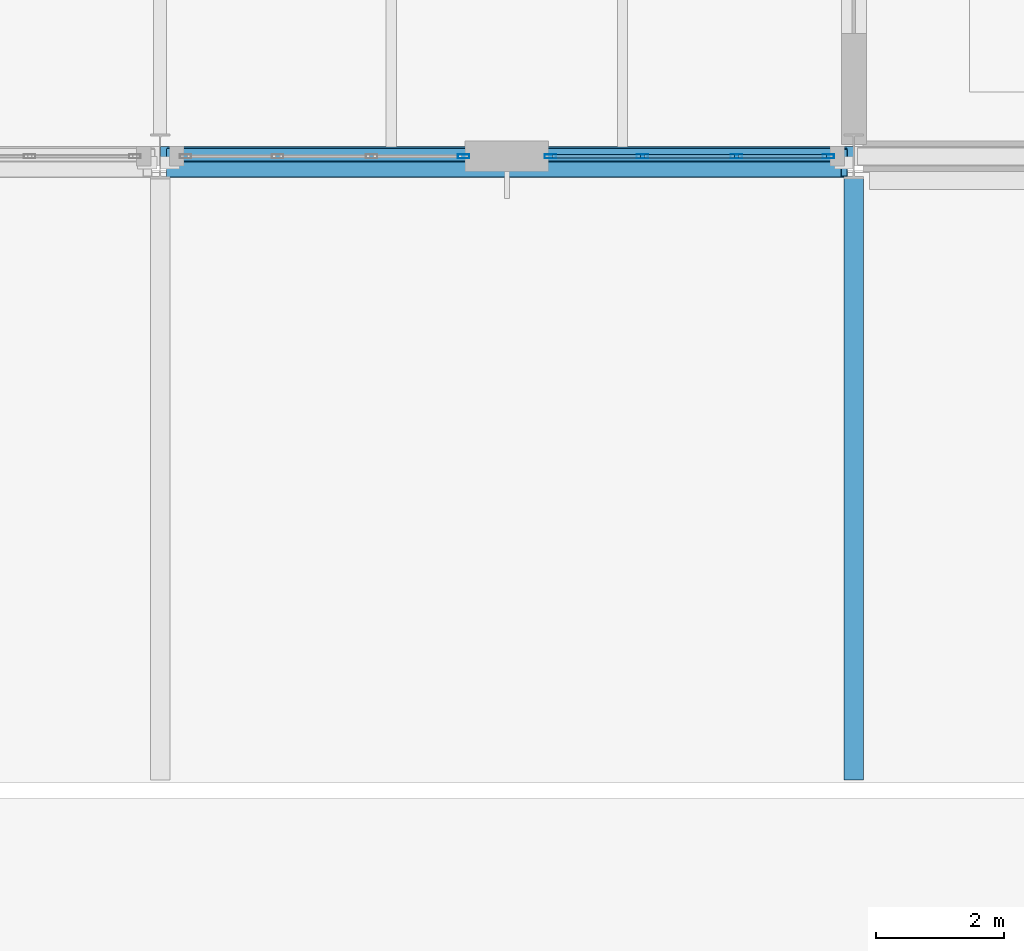
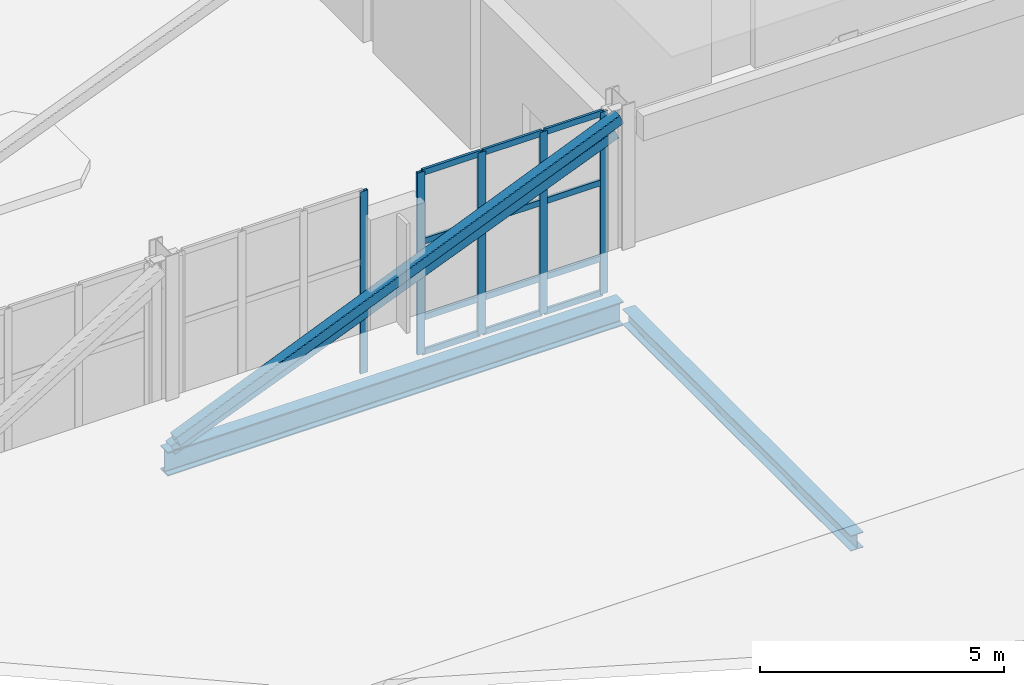
# One storey, part 16 of 100: 19 members, 2 beams, 2 elements without a shape of their own.
"""IFC4 building model written with IfcOpenShell, lengths in metres."""

from ifc_helpers import new_model, si_unit, direction, frame, origin, origin_2d, place, context, subcontext, project, spatial, hollow_rectangle, i_section, extrude, material, layer, layer_set, material_profile, profile_set, type_object, element, aggregate, save


model = new_model("IFC4")

# Units and contexts
model_context = context("Model", 3, precision=1e-05, world=origin(), true_north=direction((0.0, 1.0)))
body_context = subcontext(model_context, "Body", "Model", "MODEL_VIEW")
ifc_project = project(units=[si_unit("LENGTHUNIT", "METRE"), si_unit("AREAUNIT", "SQUARE_METRE"), si_unit("VOLUMEUNIT", "CUBIC_METRE"), si_unit("PLANEANGLEUNIT", "RADIAN"), si_unit("MASSUNIT", "GRAM", prefix="KILO")], contexts=[model_context])

# Site, building, storey
site_placement = place(None, origin())
site = spatial("IfcSite", under=ifc_project, at=site_placement, CompositionType="ELEMENT")
building_placement = place(site_placement, origin())
building = spatial("IfcBuilding", under=site, at=building_placement, Name="Tasgan Crest Museum", CompositionType="ELEMENT")
storey_placement = place(building_placement, frame((0.0, 0.0, 9.60009765625)))
storey = spatial("IfcBuildingStorey", under=building, at=storey_placement, Name="L02", CompositionType="ELEMENT", Elevation=9.60009765625)

# Beams
ifc_material_1 = material(Name="Steel S355K2", Category="steel")
ifc_material_profile_1 = material_profile(ifc_material_1, i_section(OverallWidth=0.300048828125, OverallDepth=0.60009765625, WebThickness=0.015380859375, FlangeThickness=0.030029296875, FilletRadius=0.027099609375, at=origin_2d()), Name="HEB 600")
ifc_profile_set_1 = profile_set([ifc_material_profile_1], Name="Steel S355K2")
beam_type_1 = type_object("IfcBeamType", Name="BM-CANT-G1", PredefinedType="BEAM", material=ifc_profile_set_1)
beam_1_placement = place(storey_placement, frame((10.806396484375, 40.0, -0.56005859375), z_axis=(1.0, 0.0, 0.0), x_axis=(0.0, 1.0, 0.0)))
element("IfcBeam", 1, at=beam_1_placement, inside=storey, type_object=beam_type_1, Name="Transfer back-span girder 1 BOT E", PredefinedType="BEAM", context=body_context, shape_type="SweptSolid", body=[
    extrude(i_section(OverallWidth=0.300048828125, OverallDepth=0.60009765625, WebThickness=0.015380859375, FlangeThickness=0.030029296875, FilletRadius=0.027099609375, at=origin_2d()), origin(), (0.0, 0.0, 1.0), 10.787109375),
])
ifc_material_2 = material(Name="Steel S355J2", Category="steel")
ifc_material_profile_2 = material_profile(ifc_material_2, i_section(OverallWidth=0.300048828125, OverallDepth=0.389892578125, WebThickness=0.010986328125, FlangeThickness=0.01904296875, FilletRadius=0.027099609375, at=origin_2d()), Name="HEA 400")
ifc_profile_set_2 = profile_set([ifc_material_profile_2], Name="Steel S355J2")
beam_type_2 = type_object("IfcBeamType", Name="BM-G-HEA400", PredefinedType="BEAM", material=ifc_profile_set_2)
beam_2_placement = place(storey_placement, frame((21.60009765625, 30.2900390625, -0.47509765625), z_axis=(0.0, 1.0, 0.0), x_axis=(-1.0, 0.0, 0.0)))
element("IfcBeam", 2, at=beam_2_placement, inside=storey, type_object=beam_type_2, Name="Auditorium balcony foyer sloped roof beam 3 30.0", PredefinedType="BEAM", context=body_context, shape_type="SweptSolid", body=[
    extrude(i_section(OverallWidth=0.300048828125, OverallDepth=0.389892578125, WebThickness=0.010986328125, FlangeThickness=0.01904296875, FilletRadius=0.027099609375, at=origin_2d()), origin(), (0.0, 0.0, 1.0), 9.364990234375),
])

# Curtain wall, member
ifc_material_3 = material(Name="Triple-Glazed Aluminium Curtain Wall", Category="aluminium")
ifc_layer = layer(ifc_material_3, 0.179931640625, Name="CW-CANT-SIDE-48")
ifc_layer_set = layer_set([ifc_layer], Name="Triple-Glazed Aluminium Curtain Wall")
curtain_wall_type = type_object("IfcCurtainWallType", Name="CW-CANT-SIDE-48", PredefinedType="NOTDEFINED", material=ifc_layer_set)
curtain_wall_1_placement = place(storey_placement, origin())
curtain_wall_1 = element("IfcCurtainWall", 3, at=curtain_wall_1_placement, inside=storey, type_object=curtain_wall_type, Name="Curtain wall L02 097", PredefinedType="NOTDEFINED")
ifc_material_4 = material(Name="Anodised Aluminium", Category="aluminium")
ifc_material_profile_3 = material_profile(ifc_material_4, hollow_rectangle(XDim=0.06494140625, YDim=0.179931640625, WallThickness=0.0048828125, at=origin_2d()), Name="ALU MULLION 180x65x5")
ifc_profile_set_3 = profile_set([ifc_material_profile_3], Name="Anodised Aluminium")
member_type_1 = type_object("IfcMemberType", Name="CW-MULLION-180", PredefinedType="MULLION", material=ifc_profile_set_3)
member_1_placement = place(storey_placement, frame((15.52490234375, 40.0, 0.0), z_axis=(0.0, 0.0, 1.0), x_axis=(0.0, 1.0, 0.0)))
member_1 = element("IfcMember", 4, at=member_1_placement, type_object=member_type_1, Name="CW11 mullion 4", PredefinedType="MULLION", context=body_context, shape_type="SweptSolid", body=[
    extrude(hollow_rectangle(XDim=0.06494140625, YDim=0.179931640625, WallThickness=0.0048828125, at=origin_2d()), origin(), (0.0, 0.0, 1.0), 4.559814453125),
])
aggregate(curtain_wall_1, [member_1])

# Curtain wall, members
curtain_wall_2_placement = place(storey_placement, origin())
curtain_wall_2 = element("IfcCurtainWall", 5, at=curtain_wall_2_placement, inside=storey, type_object=curtain_wall_type, Name="Curtain wall L02 098", PredefinedType="NOTDEFINED")
member_2_placement = place(storey_placement, frame((16.875, 40.0, 0.0), z_axis=(0.0, 0.0, 1.0), x_axis=(0.0, 1.0, 0.0)))
member_2 = element("IfcMember", 6, at=member_2_placement, type_object=member_type_1, Name="CW11 mullion 1", PredefinedType="MULLION", context=body_context, shape_type="SweptSolid", body=[
    extrude(hollow_rectangle(XDim=0.06494140625, YDim=0.179931640625, WallThickness=0.0048828125, at=origin_2d()), origin(), (0.0, 0.0, 1.0), 4.559814453125),
])
member_3_placement = place(storey_placement, frame((18.308349609375, 40.0, 0.0), z_axis=(0.0, 0.0, 1.0), x_axis=(0.0, 1.0, 0.0)))
member_3 = element("IfcMember", 7, at=member_3_placement, type_object=member_type_1, Name="CW11 mullion 2", PredefinedType="MULLION", context=body_context, shape_type="SweptSolid", body=[
    extrude(hollow_rectangle(XDim=0.06494140625, YDim=0.179931640625, WallThickness=0.0048828125, at=origin_2d()), origin(), (0.0, 0.0, 1.0), 4.559814453125),
])
member_4_placement = place(storey_placement, frame((19.771728515625, 40.0, 0.0), z_axis=(0.0, 0.0, 1.0), x_axis=(0.0, 1.0, 0.0)))
member_4 = element("IfcMember", 8, at=member_4_placement, type_object=member_type_1, Name="CW11 mullion 3", PredefinedType="MULLION", context=body_context, shape_type="SweptSolid", body=[
    extrude(hollow_rectangle(XDim=0.06494140625, YDim=0.179931640625, WallThickness=0.0048828125, at=origin_2d()), origin(), (0.0, 0.0, 1.0), 4.559814453125),
])
member_5_placement = place(storey_placement, frame((21.205078125, 40.0, 0.0), z_axis=(0.0, 0.0, 1.0), x_axis=(0.0, 1.0, 0.0)))
member_5 = element("IfcMember", 9, at=member_5_placement, type_object=member_type_1, Name="CW11 mullion 4", PredefinedType="MULLION", context=body_context, shape_type="SweptSolid", body=[
    extrude(hollow_rectangle(XDim=0.06494140625, YDim=0.179931640625, WallThickness=0.0048828125, at=origin_2d()), origin(), (0.0, 0.0, 1.0), 4.559814453125),
])
ifc_material_5 = material(Name="Anodised Aluminium", Category="aluminium")
ifc_material_profile_4 = material_profile(ifc_material_5, hollow_rectangle(XDim=0.06005859375, YDim=0.14990234375, WallThickness=0.0048828125, at=origin_2d()), Name="ALU TRANSOM 150x60x5")
ifc_profile_set_4 = profile_set([ifc_material_profile_4], Name="Anodised Aluminium")
member_type_2 = type_object("IfcMemberType", Name="CW-TRANSOM-150", PredefinedType="USERDEFINED", material=ifc_profile_set_4)
member_6_placement = place(storey_placement, frame((16.905029296875, 40.0, 0.02978515625), z_axis=(1.0, 0.0, 0.0), x_axis=(0.0, 1.0, 0.0)))
member_6 = element("IfcMember", 10, at=member_6_placement, type_object=member_type_2, Name="CW11 transom 1.1", ObjectType="TRANSOM", PredefinedType="USERDEFINED", context=body_context, shape_type="SweptSolid", body=[
    extrude(hollow_rectangle(XDim=0.06005859375, YDim=0.14990234375, WallThickness=0.0048828125, at=origin_2d()), origin(), (0.0, 0.0, 1.0), 1.373291015625),
])
member_7_placement = place(storey_placement, frame((16.905029296875, 40.0, 0.89990234375), z_axis=(1.0, 0.0, 0.0), x_axis=(0.0, 1.0, 0.0)))
member_7 = element("IfcMember", 11, at=member_7_placement, type_object=member_type_2, Name="CW11 transom 1.2", ObjectType="TRANSOM", PredefinedType="USERDEFINED", context=body_context, shape_type="SweptSolid", body=[
    extrude(hollow_rectangle(XDim=0.06005859375, YDim=0.14990234375, WallThickness=0.0048828125, at=origin_2d()), origin(), (0.0, 0.0, 1.0), 1.373291015625),
])
member_8_placement = place(storey_placement, frame((16.905029296875, 40.0, 2.7998046875), z_axis=(1.0, 0.0, 0.0), x_axis=(0.0, 1.0, 0.0)))
member_8 = element("IfcMember", 12, at=member_8_placement, type_object=member_type_2, Name="CW11 transom 1.3", ObjectType="TRANSOM", PredefinedType="USERDEFINED", context=body_context, shape_type="SweptSolid", body=[
    extrude(hollow_rectangle(XDim=0.06005859375, YDim=0.14990234375, WallThickness=0.0048828125, at=origin_2d()), origin(), (0.0, 0.0, 1.0), 1.373291015625),
])
member_9_placement = place(storey_placement, frame((16.905029296875, 40.0, 4.52978515625), z_axis=(1.0, 0.0, 0.0), x_axis=(0.0, 1.0, 0.0)))
member_9 = element("IfcMember", 13, at=member_9_placement, type_object=member_type_2, Name="CW11 transom 1.4", ObjectType="TRANSOM", PredefinedType="USERDEFINED", context=body_context, shape_type="SweptSolid", body=[
    extrude(hollow_rectangle(XDim=0.06005859375, YDim=0.14990234375, WallThickness=0.0048828125, at=origin_2d()), origin(), (0.0, 0.0, 1.0), 1.373291015625),
])
member_10_placement = place(storey_placement, frame((18.33837890625, 40.0, 0.02978515625), z_axis=(1.0, 0.0, 0.0), x_axis=(0.0, 1.0, 0.0)))
member_10 = element("IfcMember", 14, at=member_10_placement, type_object=member_type_2, Name="CW11 transom 2.1", ObjectType="TRANSOM", PredefinedType="USERDEFINED", context=body_context, shape_type="SweptSolid", body=[
    extrude(hollow_rectangle(XDim=0.06005859375, YDim=0.14990234375, WallThickness=0.0048828125, at=origin_2d()), origin(), (0.0, 0.0, 1.0), 1.4033203125),
])
member_11_placement = place(storey_placement, frame((18.33837890625, 40.0, 0.89990234375), z_axis=(1.0, 0.0, 0.0), x_axis=(0.0, 1.0, 0.0)))
member_11 = element("IfcMember", 15, at=member_11_placement, type_object=member_type_2, Name="CW11 transom 2.2", ObjectType="TRANSOM", PredefinedType="USERDEFINED", context=body_context, shape_type="SweptSolid", body=[
    extrude(hollow_rectangle(XDim=0.06005859375, YDim=0.14990234375, WallThickness=0.0048828125, at=origin_2d()), origin(), (0.0, 0.0, 1.0), 1.4033203125),
])
member_12_placement = place(storey_placement, frame((18.33837890625, 40.0, 2.7998046875), z_axis=(1.0, 0.0, 0.0), x_axis=(0.0, 1.0, 0.0)))
member_12 = element("IfcMember", 16, at=member_12_placement, type_object=member_type_2, Name="CW11 transom 2.3", ObjectType="TRANSOM", PredefinedType="USERDEFINED", context=body_context, shape_type="SweptSolid", body=[
    extrude(hollow_rectangle(XDim=0.06005859375, YDim=0.14990234375, WallThickness=0.0048828125, at=origin_2d()), origin(), (0.0, 0.0, 1.0), 1.4033203125),
])
member_13_placement = place(storey_placement, frame((18.33837890625, 40.0, 4.52978515625), z_axis=(1.0, 0.0, 0.0), x_axis=(0.0, 1.0, 0.0)))
member_13 = element("IfcMember", 17, at=member_13_placement, type_object=member_type_2, Name="CW11 transom 2.4", ObjectType="TRANSOM", PredefinedType="USERDEFINED", context=body_context, shape_type="SweptSolid", body=[
    extrude(hollow_rectangle(XDim=0.06005859375, YDim=0.14990234375, WallThickness=0.0048828125, at=origin_2d()), origin(), (0.0, 0.0, 1.0), 1.4033203125),
])
member_14_placement = place(storey_placement, frame((19.8017578125, 40.0, 0.02978515625), z_axis=(1.0, 0.0, 0.0), x_axis=(0.0, 1.0, 0.0)))
member_14 = element("IfcMember", 18, at=member_14_placement, type_object=member_type_2, Name="CW11 transom 3.1", ObjectType="TRANSOM", PredefinedType="USERDEFINED", context=body_context, shape_type="SweptSolid", body=[
    extrude(hollow_rectangle(XDim=0.06005859375, YDim=0.14990234375, WallThickness=0.0048828125, at=origin_2d()), origin(), (0.0, 0.0, 1.0), 1.373291015625),
])
member_15_placement = place(storey_placement, frame((19.8017578125, 40.0, 0.89990234375), z_axis=(1.0, 0.0, 0.0), x_axis=(0.0, 1.0, 0.0)))
member_15 = element("IfcMember", 19, at=member_15_placement, type_object=member_type_2, Name="CW11 transom 3.2", ObjectType="TRANSOM", PredefinedType="USERDEFINED", context=body_context, shape_type="SweptSolid", body=[
    extrude(hollow_rectangle(XDim=0.06005859375, YDim=0.14990234375, WallThickness=0.0048828125, at=origin_2d()), origin(), (0.0, 0.0, 1.0), 1.373291015625),
])
member_16_placement = place(storey_placement, frame((19.8017578125, 40.0, 2.7998046875), z_axis=(1.0, 0.0, 0.0), x_axis=(0.0, 1.0, 0.0)))
member_16 = element("IfcMember", 20, at=member_16_placement, type_object=member_type_2, Name="CW11 transom 3.3", ObjectType="TRANSOM", PredefinedType="USERDEFINED", context=body_context, shape_type="SweptSolid", body=[
    extrude(hollow_rectangle(XDim=0.06005859375, YDim=0.14990234375, WallThickness=0.0048828125, at=origin_2d()), origin(), (0.0, 0.0, 1.0), 1.373291015625),
])
member_17_placement = place(storey_placement, frame((19.8017578125, 40.0, 4.52978515625), z_axis=(1.0, 0.0, 0.0), x_axis=(0.0, 1.0, 0.0)))
member_17 = element("IfcMember", 21, at=member_17_placement, type_object=member_type_2, Name="CW11 transom 3.4", ObjectType="TRANSOM", PredefinedType="USERDEFINED", context=body_context, shape_type="SweptSolid", body=[
    extrude(hollow_rectangle(XDim=0.06005859375, YDim=0.14990234375, WallThickness=0.0048828125, at=origin_2d()), origin(), (0.0, 0.0, 1.0), 1.373291015625),
])
aggregate(curtain_wall_2, [member_2, member_3, member_4, member_5, member_6, member_7, member_8, member_9, member_10, member_11, member_12, member_13, member_14, member_15, member_16, member_17])

# Members
ifc_material_6 = material(Name="Steel S355K2", Category="steel")
ifc_material_profile_5 = material_profile(ifc_material_6, hollow_rectangle(XDim=0.260009765625, YDim=0.260009765625, WallThickness=0.01416015625, InnerFilletRadius=0.01416015625, OuterFilletRadius=0.0283203125, at=origin_2d()), Name="SHS 260x260x14.2")
ifc_profile_set_5 = profile_set([ifc_material_profile_5], Name="Steel S355K2")
member_type_3 = type_object("IfcMemberType", Name="TR-CANT-DIAG", PredefinedType="BRACE", material=ifc_profile_set_5)
member_18_placement = place(storey_placement, frame((10.949951171875, 40.0, -0.280029296875), z_axis=(0.927253929438, 0.0, 0.374433105296), x_axis=(0.0, 1.0, 0.0)))
element("IfcMember", 22, at=member_18_placement, inside=storey, type_object=member_type_3, Name="Transfer truss diagonal L02 E-2", PredefinedType="BRACE", context=body_context, shape_type="SweptSolid", body=[
    extrude(hollow_rectangle(XDim=0.260009765625, YDim=0.260009765625, WallThickness=0.01416015625, InnerFilletRadius=0.01416015625, OuterFilletRadius=0.0283203125, at=origin_2d()), origin(), (0.0, 0.0, 1.0), 11.32373046875),
])
member_19_placement = place(storey_placement, frame((10.949951171875, 39.800048828125, 0.0498046875), z_axis=(0.922290816038, 0.0, 0.38649663731), x_axis=(0.0, 1.0, 0.0)))
element("IfcMember", 23, at=member_19_placement, inside=storey, type_object=member_type_3, Name="Exposed transfer truss diagonal S2", PredefinedType="BRACE", context=body_context, shape_type="SweptSolid", body=[
    extrude(hollow_rectangle(XDim=0.260009765625, YDim=0.260009765625, WallThickness=0.01416015625, InnerFilletRadius=0.01416015625, OuterFilletRadius=0.0283203125, at=origin_2d()), origin(), (0.0, 0.0, 1.0), 11.384765625),
])

save(model, "model.ifc")
